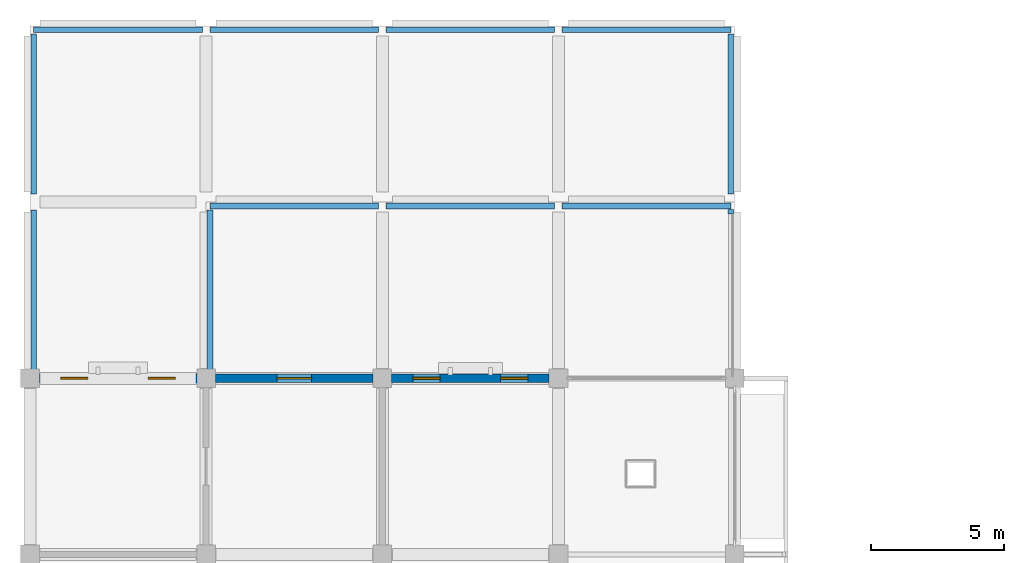
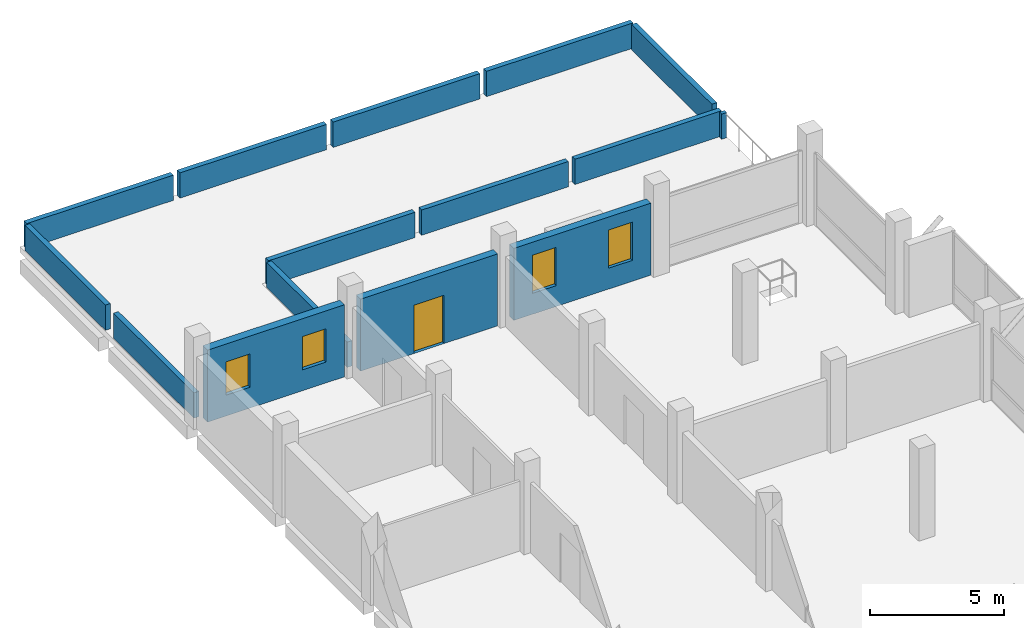
# One storey, part 10 of 13: 15 walls, 4 windows, 1 door, 5 openings.
"""IFC4 building model written with IfcOpenShell, lengths in metres."""

from ifc_helpers import new_model, si_unit, direction, frame, frame_2d, origin, place, context, subcontext, project, spatial, rectangle, extrude, material, layer, layer_set, type_object, element, fill, save


model = new_model("IFC4")

# Units and contexts
model_context = context("Model", 3, precision=1e-05, world=origin(), true_north=direction((0.0, 1.0)))
body_context = subcontext(model_context, "Body", "Model", "MODEL_VIEW")
ifc_project = project(units=[si_unit("LENGTHUNIT", "METRE"), si_unit("AREAUNIT", "SQUARE_METRE"), si_unit("VOLUMEUNIT", "CUBIC_METRE"), si_unit("PLANEANGLEUNIT", "RADIAN"), si_unit("MASSUNIT", "GRAM", prefix="KILO")], contexts=[model_context])

# Site, building, storey
site_placement = place(None, origin())
site = spatial("IfcSite", under=ifc_project, at=site_placement, CompositionType="ELEMENT")
building_placement = place(site_placement, origin())
building = spatial("IfcBuilding", under=site, at=building_placement, Name="Rusizi Kubbe Research Institute", CompositionType="ELEMENT")
storey_placement = place(building_placement, frame((0.0, 0.0, 35.39990234375)))
storey = spatial("IfcBuildingStorey", under=building, at=storey_placement, Name="L08", CompositionType="ELEMENT", Elevation=35.39990234375)

# Wall, openings, windows
ifc_material_1 = material(Name="Volcanic Basalt Ashlar Masonry", Category="masonry")
ifc_layer_1 = layer(ifc_material_1, 0.35498046875)
ifc_layer_set_1 = layer_set([ifc_layer_1], Name="Volcanic Basalt Ashlar Masonry")
wall_type_1 = type_object("IfcWallType", Name="EW-06", PredefinedType="SOLIDWALL", material=ifc_layer_set_1)
wall_1_placement = place(storey_placement, frame((0.35009765625, 66.0, 0.0), z_axis=(0.0, 0.0, 1.0), x_axis=(1.0, 0.0, 0.0)))
wall_1 = element("IfcWall", 1, at=wall_1_placement, inside=storey, type_object=wall_type_1, Name="Ablaq Stone Exterior Wall L08 H0-10", PredefinedType="SOLIDWALL", context=body_context, shape_type="SweptSolid", body=[
    extrude(rectangle(XDim=5.89990234375, YDim=0.35498046875, at=frame_2d((2.949951171875, 0.0))), origin(), (0.0, 0.0, 1.0), 3.280029296875),
])
opening_1_placement = place(wall_1_placement, frame((0.800048828125, 0.0, 0.949951171875)))
opening_1 = element("IfcOpeningElement", 2, at=opening_1_placement, cuts=wall_1, Name="Opening WN-06", PredefinedType="OPENING", context=body_context, shape_type="SweptSolid", body=[
    extrude(rectangle(XDim=1.02001953125, YDim=1.52001953125, at=frame_2d((0.510009765625, 0.760009765625))), frame((0.0, 0.1875, 0.0), z_axis=(0.0, -1.0, 0.0), x_axis=(1.0, 0.0, 0.0)), (0.0, 0.0, 1.0), 0.375),
])
opening_2_placement = place(wall_1_placement, frame((4.080078125, 0.0, 0.949951171875)))
opening_2 = element("IfcOpeningElement", 3, at=opening_2_placement, cuts=wall_1, Name="Opening WN-06", PredefinedType="OPENING", context=body_context, shape_type="SweptSolid", body=[
    extrude(rectangle(XDim=1.02001953125, YDim=1.52001953125, at=frame_2d((0.510009765625, 0.760009765625))), frame((0.0, 0.1875, 0.0), z_axis=(0.0, -1.0, 0.0), x_axis=(1.0, 0.0, 0.0)), (0.0, 0.0, 1.0), 0.375),
])
ifc_material_2 = material(Name="Aluminium Frame and Solar-Control Double Glazing", Category="glass")
window_type_1 = type_object("IfcWindowType", Name="WN-06", PartitioningType="SINGLE_PANEL", PredefinedType="WINDOW", material=ifc_material_2)
window_1_placement = place(opening_1_placement, origin())
window_1 = element("IfcWindow", 4, at=window_1_placement, inside=storey, type_object=window_type_1, Name="Casement Window WN-06 L08", OverallHeight=1.52001953125, OverallWidth=1.02001953125, PartitioningType="SINGLE_PANEL", PredefinedType="WINDOW", context=body_context, shape_type="SweptSolid", body=[
    extrude(rectangle(XDim=1.02001953125, YDim=1.52001953125, at=frame_2d((0.510009765625, 0.760009765625))), frame((0.0, 0.030029296875, 0.0), z_axis=(0.0, -1.0, 0.0), x_axis=(1.0, 0.0, 0.0)), (0.0, 0.0, 1.0), 0.06005859375),
])
fill(opening_1, window_1)
window_2_placement = place(opening_2_placement, origin())
window_2 = element("IfcWindow", 5, at=window_2_placement, inside=storey, type_object=window_type_1, Name="Casement Window WN-06 L08", OverallHeight=1.52001953125, OverallWidth=1.02001953125, PartitioningType="SINGLE_PANEL", PredefinedType="WINDOW", context=body_context, shape_type="SweptSolid", body=[
    extrude(rectangle(XDim=1.02001953125, YDim=1.52001953125, at=frame_2d((0.510009765625, 0.760009765625))), frame((0.0, 0.030029296875, 0.0), z_axis=(0.0, -1.0, 0.0), x_axis=(1.0, 0.0, 0.0)), (0.0, 0.0, 1.0), 0.06005859375),
])
fill(opening_2, window_2)

# Wall, opening, door
ifc_material_3 = material(Name="Volcanic Basalt Ashlar Masonry", Category="masonry")
ifc_layer_2 = layer(ifc_material_3, 0.324951171875)
ifc_layer_set_2 = layer_set([ifc_layer_2], Name="Volcanic Basalt Ashlar Masonry")
wall_type_2 = type_object("IfcWallType", Name="EW-08", PredefinedType="SOLIDWALL", material=ifc_layer_set_2)
wall_2_placement = place(storey_placement, frame((6.949951171875, 66.0, 0.0), z_axis=(0.0, 0.0, 1.0), x_axis=(1.0, 0.0, 0.0)))
wall_2 = element("IfcWall", 6, at=wall_2_placement, inside=storey, type_object=wall_type_2, Name="Terrace Access Wall L08 H1-10", PredefinedType="SOLIDWALL", context=body_context, shape_type="SweptSolid", body=[
    extrude(rectangle(XDim=5.900146484375, YDim=0.324951171875, at=frame_2d((2.9501953125, 0.0))), origin(), (0.0, 0.0, 1.0), 3.280029296875),
])
opening_3_placement = place(wall_2_placement, frame((2.300048828125, 0.0, 0.0)))
opening_3 = element("IfcOpeningElement", 7, at=opening_3_placement, cuts=wall_2, Name="Opening D-36", PredefinedType="OPENING", context=body_context, shape_type="SweptSolid", body=[
    extrude(rectangle(XDim=1.300048828125, YDim=2.199951171875, at=frame_2d((0.64990234375, 1.10009765625))), frame((0.0, 0.17236328125, 0.0), z_axis=(0.0, -1.0, 0.0), x_axis=(1.0, 0.0, 0.0)), (0.0, 0.0, 1.0), 0.344970703125),
])
ifc_material_4 = material(Name="Insulated Steel and Laminated Safety Glass", Category="steel")
door_type = type_object("IfcDoorType", Name="ED-06", OperationType="NOTDEFINED", PredefinedType="DOOR", material=ifc_material_4)
door_placement = place(opening_3_placement, origin())
door = element("IfcDoor", 8, at=door_placement, inside=storey, type_object=door_type, Name="Roof Terrace Door L08-T06", OperationType="SINGLE_SWING_RIGHT", OverallHeight=2.199951171875, OverallWidth=1.300048828125, PredefinedType="DOOR", context=body_context, shape_type="SweptSolid", body=[
    extrude(rectangle(XDim=1.300048828125, YDim=2.199951171875, at=frame_2d((0.64990234375, 1.10009765625))), frame((0.0, 0.02490234375, 0.0), z_axis=(0.0, -1.0, 0.0), x_axis=(1.0, 0.0, 0.0)), (0.0, 0.0, 1.0), 0.050048828125),
])
fill(opening_3, door)

# Wall, openings, windows
wall_3_placement = place(storey_placement, frame((13.550048828125, 66.0, 0.0), z_axis=(0.0, 0.0, 1.0), x_axis=(1.0, 0.0, 0.0)))
wall_3 = element("IfcWall", 9, at=wall_3_placement, inside=storey, type_object=wall_type_2, Name="Ablaq Stone Exterior Wall L08 H2-10", PredefinedType="SOLIDWALL", context=body_context, shape_type="SweptSolid", body=[
    extrude(rectangle(XDim=5.89990234375, YDim=0.324951171875, at=frame_2d((2.949951171875, 0.0))), origin(), (0.0, 0.0, 1.0), 3.280029296875),
])
opening_4_placement = place(wall_3_placement, frame((0.800048828125, 0.0, 0.949951171875)))
opening_4 = element("IfcOpeningElement", 10, at=opening_4_placement, cuts=wall_3, Name="Opening WN-07", PredefinedType="OPENING", context=body_context, shape_type="SweptSolid", body=[
    extrude(rectangle(XDim=1.02001953125, YDim=1.739990234375, at=frame_2d((0.510009765625, 0.8701171875))), frame((0.0, 0.17236328125, 0.0), z_axis=(0.0, -1.0, 0.0), x_axis=(1.0, 0.0, 0.0)), (0.0, 0.0, 1.0), 0.344970703125),
])
opening_5_placement = place(wall_3_placement, frame((4.080078125, 0.0, 0.949951171875)))
opening_5 = element("IfcOpeningElement", 11, at=opening_5_placement, cuts=wall_3, Name="Opening WN-07", PredefinedType="OPENING", context=body_context, shape_type="SweptSolid", body=[
    extrude(rectangle(XDim=1.02001953125, YDim=1.739990234375, at=frame_2d((0.510009765625, 0.8701171875))), frame((0.0, 0.17236328125, 0.0), z_axis=(0.0, -1.0, 0.0), x_axis=(1.0, 0.0, 0.0)), (0.0, 0.0, 1.0), 0.344970703125),
])
ifc_material_5 = material(Name="Aluminium Frame and Solar-Control Double Glazing", Category="glass")
window_type_2 = type_object("IfcWindowType", Name="WN-07", PartitioningType="SINGLE_PANEL", PredefinedType="WINDOW", material=ifc_material_5)
window_3_placement = place(opening_4_placement, origin())
window_3 = element("IfcWindow", 12, at=window_3_placement, inside=storey, type_object=window_type_2, Name="Casement Window WN-07 L08", OverallHeight=1.739990234375, OverallWidth=1.02001953125, PartitioningType="SINGLE_PANEL", PredefinedType="WINDOW", context=body_context, shape_type="SweptSolid", body=[
    extrude(rectangle(XDim=1.02001953125, YDim=1.739990234375, at=frame_2d((0.510009765625, 0.8701171875))), frame((0.0, 0.030029296875, 0.0), z_axis=(0.0, -1.0, 0.0), x_axis=(1.0, 0.0, 0.0)), (0.0, 0.0, 1.0), 0.06005859375),
])
fill(opening_4, window_3)
window_4_placement = place(opening_5_placement, origin())
window_4 = element("IfcWindow", 13, at=window_4_placement, inside=storey, type_object=window_type_2, Name="Casement Window WN-07 L08", OverallHeight=1.739990234375, OverallWidth=1.02001953125, PartitioningType="SINGLE_PANEL", PredefinedType="WINDOW", context=body_context, shape_type="SweptSolid", body=[
    extrude(rectangle(XDim=1.02001953125, YDim=1.739990234375, at=frame_2d((0.510009765625, 0.8701171875))), frame((0.0, 0.030029296875, 0.0), z_axis=(0.0, -1.0, 0.0), x_axis=(1.0, 0.0, 0.0)), (0.0, 0.0, 1.0), 0.06005859375),
])
fill(opening_5, window_4)

# Walls
ifc_material_6 = material(Name="Volcanic Basalt Ashlar Masonry", Category="masonry")
ifc_layer_3 = layer(ifc_material_6, 0.215087890625)
ifc_layer_set_3 = layer_set([ifc_layer_3], Name="Volcanic Basalt Ashlar Masonry")
wall_type_3 = type_object("IfcWallType", Name="PRP-02", PredefinedType="PARAPET", material=ifc_layer_set_3)
wall_4_placement = place(storey_placement, frame((6.739990234375, 72.4599609375, 0.0), z_axis=(0.0, 0.0, 1.0), x_axis=(1.0, 0.0, 0.0)))
element("IfcWall", 14, at=wall_4_placement, inside=storey, type_object=wall_type_3, Name="Terrace Divider Parapet Wall L08-001", PredefinedType="PARAPET", context=body_context, shape_type="SweptSolid", body=[
    extrude(rectangle(XDim=6.320068359375, YDim=0.215087890625, at=frame_2d((3.16015625, 0.0))), origin(), (0.0, 0.0, 1.0), 1.150146484375),
])
wall_5_placement = place(storey_placement, frame((6.739990234375, 66.300048828125, 0.0), z_axis=(0.0, 0.0, 1.0), x_axis=(0.0, 1.0, 0.0)))
element("IfcWall", 15, at=wall_5_placement, inside=storey, type_object=wall_type_3, Name="Terrace Divider Parapet Wall L08-002", PredefinedType="PARAPET", context=body_context, shape_type="SweptSolid", body=[
    extrude(rectangle(XDim=6.0, YDim=0.215087890625, at=frame_2d((3.0, 0.0))), origin(), (0.0, 0.0, 1.0), 1.150146484375),
])
wall_6_placement = place(storey_placement, frame((13.340087890625, 72.4599609375, 0.0), z_axis=(0.0, 0.0, 1.0), x_axis=(1.0, 0.0, 0.0)))
element("IfcWall", 16, at=wall_6_placement, inside=storey, type_object=wall_type_3, Name="Terrace Divider Parapet Wall L08-003", PredefinedType="PARAPET", context=body_context, shape_type="SweptSolid", body=[
    extrude(rectangle(XDim=6.31982421875, YDim=0.215087890625, at=frame_2d((3.159912109375, 0.0))), origin(), (0.0, 0.0, 1.0), 1.150146484375),
])
wall_7_placement = place(storey_placement, frame((19.93994140625, 72.4599609375, 0.0), z_axis=(0.0, 0.0, 1.0), x_axis=(1.0, 0.0, 0.0)))
element("IfcWall", 17, at=wall_7_placement, inside=storey, type_object=wall_type_3, Name="Terrace Divider Parapet Wall L08-004", PredefinedType="PARAPET", context=body_context, shape_type="SweptSolid", body=[
    extrude(rectangle(XDim=6.320068359375, YDim=0.215087890625, at=frame_2d((3.16015625, 0.0))), origin(), (0.0, 0.0, 1.0), 1.150146484375),
])
wall_8_placement = place(storey_placement, frame((26.260009765625, 72.159912109375, 0.0), z_axis=(0.0, 0.0, 1.0), x_axis=(0.0, 1.0, 0.0)))
element("IfcWall", 18, at=wall_8_placement, inside=storey, type_object=wall_type_3, Name="Terrace Corner Parapet L08-005", PredefinedType="PARAPET", context=body_context, shape_type="SweptSolid", body=[
    extrude(rectangle(XDim=0.16015625, YDim=0.215087890625, at=frame_2d((0.080078125, 0.0))), origin(), (0.0, 0.0, 1.0), 1.150146484375),
])
wall_9_placement = place(storey_placement, frame((0.139892578125, 66.300048828125, 0.0), z_axis=(0.0, 0.0, 1.0), x_axis=(0.0, 1.0, 0.0)))
element("IfcWall", 19, at=wall_9_placement, inside=storey, type_object=wall_type_3, Name="Roof Parapet Wall L08-006", PredefinedType="PARAPET", context=body_context, shape_type="SweptSolid", body=[
    extrude(rectangle(XDim=6.0, YDim=0.215087890625, at=frame_2d((3.0, 0.0))), origin(), (0.0, 0.0, 1.0), 1.150146484375),
])
wall_10_placement = place(storey_placement, frame((0.139892578125, 79.06005859375, 0.0), z_axis=(0.0, 0.0, 1.0), x_axis=(1.0, 0.0, 0.0)))
element("IfcWall", 20, at=wall_10_placement, inside=storey, type_object=wall_type_3, Name="Roof Parapet Wall L08-007", PredefinedType="PARAPET", context=body_context, shape_type="SweptSolid", body=[
    extrude(rectangle(XDim=6.320068359375, YDim=0.215087890625, at=frame_2d((3.16015625, 0.0))), origin(), (0.0, 0.0, 1.0), 1.150146484375),
])
wall_11_placement = place(storey_placement, frame((0.139892578125, 72.89990234375, 0.0), z_axis=(0.0, 0.0, 1.0), x_axis=(0.0, 1.0, 0.0)))
element("IfcWall", 21, at=wall_11_placement, inside=storey, type_object=wall_type_3, Name="Roof Parapet Wall L08-008", PredefinedType="PARAPET", context=body_context, shape_type="SweptSolid", body=[
    extrude(rectangle(XDim=6.0, YDim=0.215087890625, at=frame_2d((3.0, 0.0))), origin(), (0.0, 0.0, 1.0), 1.150146484375),
])
wall_12_placement = place(storey_placement, frame((6.739990234375, 79.06005859375, 0.0), z_axis=(0.0, 0.0, 1.0), x_axis=(1.0, 0.0, 0.0)))
element("IfcWall", 22, at=wall_12_placement, inside=storey, type_object=wall_type_3, Name="Roof Parapet Wall L08-009", PredefinedType="PARAPET", context=body_context, shape_type="SweptSolid", body=[
    extrude(rectangle(XDim=6.320068359375, YDim=0.215087890625, at=frame_2d((3.16015625, 0.0))), origin(), (0.0, 0.0, 1.0), 1.150146484375),
])
wall_13_placement = place(storey_placement, frame((13.340087890625, 79.06005859375, 0.0), z_axis=(0.0, 0.0, 1.0), x_axis=(1.0, 0.0, 0.0)))
element("IfcWall", 23, at=wall_13_placement, inside=storey, type_object=wall_type_3, Name="Roof Parapet Wall L08-010", PredefinedType="PARAPET", context=body_context, shape_type="SweptSolid", body=[
    extrude(rectangle(XDim=6.31982421875, YDim=0.215087890625, at=frame_2d((3.159912109375, 0.0))), origin(), (0.0, 0.0, 1.0), 1.150146484375),
])
wall_14_placement = place(storey_placement, frame((19.93994140625, 79.06005859375, 0.0), z_axis=(0.0, 0.0, 1.0), x_axis=(1.0, 0.0, 0.0)))
element("IfcWall", 24, at=wall_14_placement, inside=storey, type_object=wall_type_3, Name="Roof Parapet Wall L08-011", PredefinedType="PARAPET", context=body_context, shape_type="SweptSolid", body=[
    extrude(rectangle(XDim=6.320068359375, YDim=0.215087890625, at=frame_2d((3.16015625, 0.0))), origin(), (0.0, 0.0, 1.0), 1.150146484375),
])
wall_15_placement = place(storey_placement, frame((26.260009765625, 72.89990234375, 0.0), z_axis=(0.0, 0.0, 1.0), x_axis=(0.0, 1.0, 0.0)))
element("IfcWall", 25, at=wall_15_placement, inside=storey, type_object=wall_type_3, Name="Roof Parapet Wall L08-012", PredefinedType="PARAPET", context=body_context, shape_type="SweptSolid", body=[
    extrude(rectangle(XDim=6.0, YDim=0.215087890625, at=frame_2d((3.0, 0.0))), origin(), (0.0, 0.0, 1.0), 1.150146484375),
])

save(model, "model.ifc")
